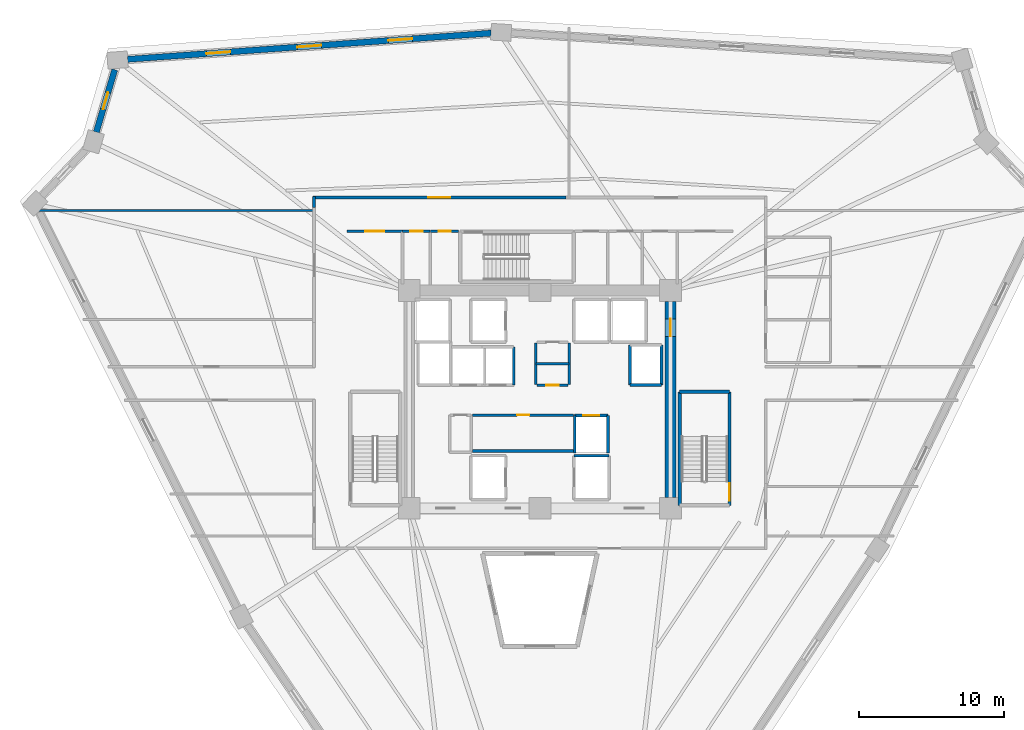
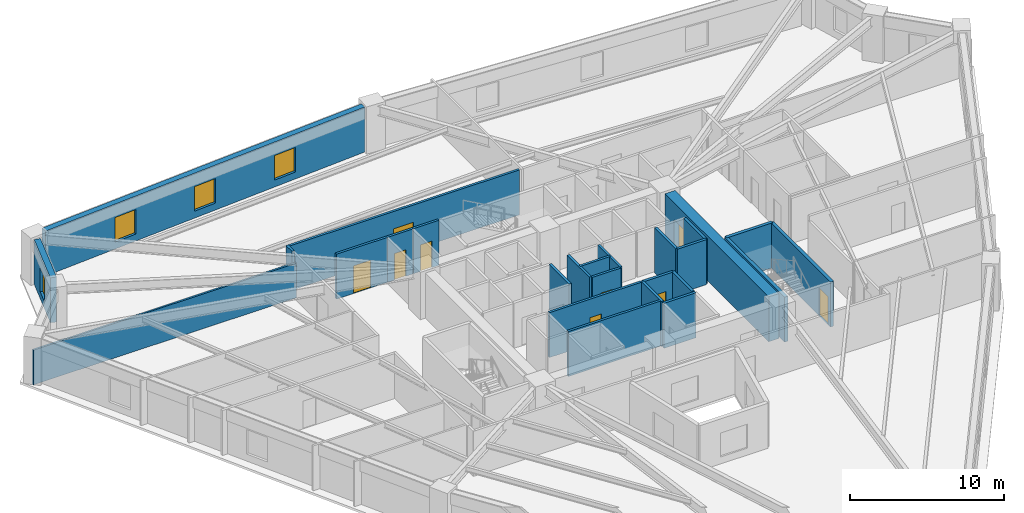
# One storey, part 5 of 8: 26 walls, 9 doors, 4 windows, 13 openings.
"""IFC4 building model written with IfcOpenShell, lengths in metres."""

from ifc_helpers import new_model, si_unit, direction, frame, frame_2d, origin, place, context, subcontext, project, spatial, rectangle, extrude, source, transform, mapped, material, layer, layer_set, type_object, element, fill, save


model = new_model("IFC4")

# Units and contexts
model_context = context("Model", 3, precision=1e-05, world=origin(), true_north=direction((0.0, 1.0)))
body_context = subcontext(model_context, "Body", "Model", "MODEL_VIEW")
ifc_project = project(units=[si_unit("LENGTHUNIT", "METRE"), si_unit("AREAUNIT", "SQUARE_METRE"), si_unit("VOLUMEUNIT", "CUBIC_METRE"), si_unit("PLANEANGLEUNIT", "RADIAN"), si_unit("MASSUNIT", "GRAM", prefix="KILO")], contexts=[model_context])

# Site, building, storey
site_placement = place(None, origin())
site = spatial("IfcSite", under=ifc_project, at=site_placement, CompositionType="ELEMENT")
building_placement = place(site_placement, origin())
building = spatial("IfcBuilding", under=site, at=building_placement, Name="Liaohun Quay Tower", CompositionType="ELEMENT")
storey_placement = place(building_placement, frame((0.0, 0.0, 174.0)))
storey = spatial("IfcBuildingStorey", under=building, at=storey_placement, Name="L45", CompositionType="ELEMENT", Elevation=174.0)

# Wall, opening, door
ifc_material_1 = material(Name="Concrete C60", Category="concrete")
ifc_layer_1 = layer(ifc_material_1, 0.75, Name="Concrete C60", Category="concrete")
ifc_layer_set_1 = layer_set([ifc_layer_1], Name="Concrete C60")
wall_type_1 = type_object("IfcWallType", Name="WAL-COR-Z2", PredefinedType="SHEAR", material=ifc_layer_set_1)
wall_1_placement = place(storey_placement, frame((69.0, 60.75, 0.0), z_axis=(0.0, 0.0, 1.0), x_axis=(0.0, -1.0, 0.0)))
wall_1 = element("IfcWall", 1, at=wall_1_placement, inside=storey, type_object=wall_type_1, Name="L45 Central Core Shear Wall E", PredefinedType="SHEAR", context=body_context, shape_type="SweptSolid", body=[
    extrude(rectangle(XDim=13.5, YDim=0.75, at=frame_2d((6.75, 0.0))), origin(), (0.0, 0.0, 1.0), 3.570068359375),
])
shared_shape_1 = source(origin(), body_context, "Body", "SweptSolid", [
    extrude(rectangle(XDim=1.199951171875, YDim=2.199951171875, at=frame_2d((0.60009765625, 1.10009765625))), frame((0.0, 0.385009765625, 0.0), z_axis=(0.0, -1.0, 0.0), x_axis=(1.0, 0.0, 0.0)), (0.0, 0.0, 1.0), 0.77001953125),
])
opening_1_placement = place(wall_1_placement, frame((1.199951171875, 0.0, 0.0)))
opening_1 = element("IfcOpeningElement", 2, at=opening_1_placement, cuts=wall_1, Name="Opening SD1", PredefinedType="OPENING", context=body_context, shape_type="MappedRepresentation", body=[
    mapped(shared_shape_1, transform((0.0, 0.0, 0.0), x_axis=(1.0, 0.0, 0.0), y_axis=(0.0, 1.0, 0.0), z_axis=(0.0, 0.0, 1.0), scale=1.0)),
])
ifc_material_2 = material(Name="Galvanised steel fire door", Category="steel")
door_type_1 = type_object("IfcDoorType", Name="DOR-STR-1200", OperationType="NOTDEFINED", PredefinedType="DOOR", material=ifc_material_2)
shared_shape_2 = source(origin(), body_context, "Body", "SweptSolid", [
    extrude(rectangle(XDim=1.199951171875, YDim=2.199951171875, at=frame_2d((0.60009765625, 1.10009765625))), frame((0.0, 0.02490234375, 0.0), z_axis=(0.0, -1.0, 0.0), x_axis=(1.0, 0.0, 0.0)), (0.0, 0.0, 1.0), 0.050048828125),
])
door_1_placement = place(opening_1_placement, origin())
door_1 = element("IfcDoor", 3, at=door_1_placement, inside=storey, type_object=door_type_1, Name="L45 North-East Core Lobby Smokeproof Door", OperationType="SINGLE_SWING_LEFT", OverallHeight=2.199951171875, OverallWidth=1.199951171875, PredefinedType="DOOR", context=body_context, shape_type="MappedRepresentation", body=[
    mapped(shared_shape_2, transform((0.0, 0.0, 0.0), x_axis=(1.0, 0.0, 0.0), y_axis=(0.0, 1.0, 0.0), z_axis=(0.0, 0.0, 1.0), scale=1.0)),
])
fill(opening_1, door_1)

# Wall, openings, windows
ifc_material_3 = material(Name="Precast concrete C50 insulated sandwich", Category="concrete")
ifc_layer_2 = layer(ifc_material_3, 0.419921875, Name="Precast concrete C50 insulated sandwich", Category="concrete")
ifc_layer_set_2 = layer_set([ifc_layer_2], Name="Precast concrete C50 insulated sandwich")
wall_type_2 = type_object("IfcWallType", Name="WAL-EXT-Z12", PredefinedType="SOLIDWALL", material=ifc_layer_set_2)
wall_2_placement = place(storey_placement, frame((56.64111328125, 79.23291015625, 0.0), z_axis=(0.0, 0.0, 1.0), x_axis=(-0.997406603589, -0.071972683136, 0.0)))
wall_2 = element("IfcWall", 4, at=wall_2_placement, inside=storey, type_object=wall_type_2, Name="L45 Brutalist Precast Pier Wall 07", PredefinedType="SOLIDWALL", context=body_context, shape_type="SweptSolid", body=[
    extrude(rectangle(XDim=25.105224609375, YDim=0.419921875, at=frame_2d((12.552734375, 0.0))), origin(), (0.0, 0.0, 1.0), 3.570068359375),
])
shared_shape_3 = source(origin(), body_context, "Body", "SweptSolid", [
    extrude(rectangle(XDim=1.64990234375, YDim=1.949951171875, at=frame_2d((0.824951171875, 0.97509765625))), frame((0.0, 0.219970703125, 0.0), z_axis=(0.0, -1.0, 0.0), x_axis=(1.0, 0.0, 0.0)), (0.0, 0.0, 1.0), 0.43994140625),
])
opening_2_placement = place(wall_2_placement, frame((5.450927734375, 0.0, 0.550048828125)))
opening_2 = element("IfcOpeningElement", 5, at=opening_2_placement, cuts=wall_2, Name="Opening W02", PredefinedType="OPENING", context=body_context, shape_type="MappedRepresentation", body=[
    mapped(shared_shape_3, transform((0.0, 0.0, 0.0), x_axis=(1.0, 0.0, 0.0), y_axis=(0.0, 1.0, 0.0), z_axis=(0.0, 0.0, 1.0), scale=1.0)),
])
opening_3_placement = place(wall_2_placement, frame((11.72802734375, 0.0, 0.550048828125)))
opening_3 = element("IfcOpeningElement", 6, at=opening_3_placement, cuts=wall_2, Name="Opening W02", PredefinedType="OPENING", context=body_context, shape_type="MappedRepresentation", body=[
    mapped(shared_shape_3, transform((0.0, 0.0, 0.0), x_axis=(1.0, 0.0, 0.0), y_axis=(0.0, 1.0, 0.0), z_axis=(0.0, 0.0, 1.0), scale=1.0)),
])
opening_4_placement = place(wall_2_placement, frame((18.00390625, 0.0, 0.550048828125)))
opening_4 = element("IfcOpeningElement", 7, at=opening_4_placement, cuts=wall_2, Name="Opening W02", PredefinedType="OPENING", context=body_context, shape_type="MappedRepresentation", body=[
    mapped(shared_shape_3, transform((0.0, 0.0, 0.0), x_axis=(1.0, 0.0, 0.0), y_axis=(0.0, 1.0, 0.0), z_axis=(0.0, 0.0, 1.0), scale=1.0)),
])
ifc_material_4 = material(Name="Triple Low-E argon glazing in thermally broken aluminium", Category="aluminium")
window_type_1 = type_object("IfcWindowType", Name="WIN-PUN-Z2", PartitioningType="DOUBLE_PANEL_VERTICAL", PredefinedType="WINDOW", material=ifc_material_4)
shared_shape_4 = source(origin(), body_context, "Body", "SweptSolid", [
    extrude(rectangle(XDim=1.64990234375, YDim=1.949951171875, at=frame_2d((0.824951171875, 0.97509765625))), frame((0.0, 0.030029296875, 0.0), z_axis=(0.0, -1.0, 0.0), x_axis=(1.0, 0.0, 0.0)), (0.0, 0.0, 1.0), 0.06005859375),
])
window_1_placement = place(opening_2_placement, origin())
window_1 = element("IfcWindow", 8, at=window_1_placement, inside=storey, type_object=window_type_1, Name="L45 Recessed Cold-Climate Punched Window 07-1", OverallHeight=1.949951171875, OverallWidth=1.64990234375, PartitioningType="DOUBLE_PANEL_VERTICAL", PredefinedType="WINDOW", context=body_context, shape_type="MappedRepresentation", body=[
    mapped(shared_shape_4, transform((0.0, 0.0, 0.0), x_axis=(1.0, 0.0, 0.0), y_axis=(0.0, 1.0, 0.0), z_axis=(0.0, 0.0, 1.0), scale=1.0)),
])
fill(opening_2, window_1)
window_2_placement = place(opening_3_placement, origin())
window_2 = element("IfcWindow", 9, at=window_2_placement, inside=storey, type_object=window_type_1, Name="L45 Recessed Cold-Climate Punched Window 07-2", OverallHeight=1.949951171875, OverallWidth=1.64990234375, PartitioningType="DOUBLE_PANEL_VERTICAL", PredefinedType="WINDOW", context=body_context, shape_type="MappedRepresentation", body=[
    mapped(shared_shape_4, transform((0.0, 0.0, 0.0), x_axis=(1.0, 0.0, 0.0), y_axis=(0.0, 1.0, 0.0), z_axis=(0.0, 0.0, 1.0), scale=1.0)),
])
fill(opening_3, window_2)
window_3_placement = place(opening_4_placement, origin())
window_3 = element("IfcWindow", 10, at=window_3_placement, inside=storey, type_object=window_type_1, Name="L45 Recessed Cold-Climate Punched Window 07-3", OverallHeight=1.949951171875, OverallWidth=1.64990234375, PartitioningType="DOUBLE_PANEL_VERTICAL", PredefinedType="WINDOW", context=body_context, shape_type="MappedRepresentation", body=[
    mapped(shared_shape_4, transform((0.0, 0.0, 0.0), x_axis=(1.0, 0.0, 0.0), y_axis=(0.0, 1.0, 0.0), z_axis=(0.0, 0.0, 1.0), scale=1.0)),
])
fill(opening_4, window_3)

# Wall, opening, window
wall_3_placement = place(storey_placement, frame((30.718017578125, 76.714111328125, 0.0), z_axis=(0.0, 0.0, 1.0), x_axis=(-0.282994479967, -0.959121537819, 0.0)))
wall_3 = element("IfcWall", 11, at=wall_3_placement, inside=storey, type_object=wall_type_2, Name="L45 Brutalist Precast Pier Wall 08", PredefinedType="SOLIDWALL", context=body_context, shape_type="SweptSolid", body=[
    extrude(rectangle(XDim=4.484375, YDim=0.419921875, at=frame_2d((2.2421875, 0.0))), origin(), (0.0, 0.0, 1.0), 3.570068359375),
])
shared_shape_5 = source(origin(), body_context, "Body", "SweptSolid", [
    extrude(rectangle(XDim=1.199951171875, YDim=1.89990234375, at=frame_2d((0.60009765625, 0.949951171875))), frame((0.0, 0.219970703125, 0.0), z_axis=(0.0, -1.0, 0.0), x_axis=(1.0, 0.0, 0.0)), (0.0, 0.0, 1.0), 0.43994140625),
])
opening_5_placement = place(wall_3_placement, frame((1.64208984375, 0.0, 0.550048828125)))
opening_5 = element("IfcOpeningElement", 12, at=opening_5_placement, cuts=wall_3, Name="Opening W05", PredefinedType="OPENING", context=body_context, shape_type="MappedRepresentation", body=[
    mapped(shared_shape_5, transform((0.0, 0.0, 0.0), x_axis=(1.0, 0.0, 0.0), y_axis=(0.0, 1.0, 0.0), z_axis=(0.0, 0.0, 1.0), scale=1.0)),
])
ifc_material_5 = material(Name="Triple Low-E corner notch glazing", Category="glass")
window_type_2 = type_object("IfcWindowType", Name="WIN-NOTCH", PartitioningType="SINGLE_PANEL", PredefinedType="WINDOW", material=ifc_material_5)
shared_shape_6 = source(origin(), body_context, "Body", "SweptSolid", [
    extrude(rectangle(XDim=1.199951171875, YDim=1.89990234375, at=frame_2d((0.60009765625, 0.949951171875))), frame((0.0, 0.030029296875, 0.0), z_axis=(0.0, -1.0, 0.0), x_axis=(1.0, 0.0, 0.0)), (0.0, 0.0, 1.0), 0.06005859375),
])
window_4_placement = place(opening_5_placement, origin())
window_4 = element("IfcWindow", 13, at=window_4_placement, inside=storey, type_object=window_type_2, Name="L45 Corner Notch Window W05-08", OverallHeight=1.89990234375, OverallWidth=1.199951171875, PartitioningType="SINGLE_PANEL", PredefinedType="WINDOW", context=body_context, shape_type="MappedRepresentation", body=[
    mapped(shared_shape_6, transform((0.0, 0.0, 0.0), x_axis=(1.0, 0.0, 0.0), y_axis=(0.0, 1.0, 0.0), z_axis=(0.0, 0.0, 1.0), scale=1.0)),
])
fill(opening_5, window_4)

# Wall, opening, door
ifc_material_6 = material(Name="Autoclaved aerated concrete blockwork", Category="masonry")
ifc_layer_3 = layer(ifc_material_6, 0.179931640625, Name="Autoclaved aerated concrete blockwork", Category="masonry")
ifc_layer_set_3 = layer_set([ifc_layer_3], Name="Autoclaved aerated concrete blockwork")
wall_type_3 = type_object("IfcWallType", Name="WAL-PRT-COR", PredefinedType="PARTITIONING", material=ifc_layer_set_3)
wall_4_placement = place(storey_placement, frame((55.3701171875, 52.919921875, 0.0), z_axis=(0.0, 0.0, 1.0), x_axis=(1.0, 0.0, 0.0)))
wall_4 = element("IfcWall", 14, at=wall_4_placement, inside=storey, type_object=wall_type_3, Name="L45 Interior Partition Wall 001", PredefinedType="PARTITIONING", context=body_context, shape_type="SweptSolid", body=[
    extrude(rectangle(XDim=6.929931640625, YDim=0.179931640625, at=frame_2d((3.46484375, 0.0))), origin(), (0.0, 0.0, 1.0), 3.570068359375),
])
shared_shape_7 = source(origin(), body_context, "Body", "SweptSolid", [
    extrude(rectangle(XDim=0.85009765625, YDim=2.10009765625, at=frame_2d((0.425048828125, 1.050048828125))), frame((0.0, 0.099853515625, 0.0), z_axis=(0.0, -1.0, 0.0), x_axis=(1.0, 0.0, 0.0)), (0.0, 0.0, 1.0), 0.199951171875),
])
opening_6_placement = place(wall_4_placement, frame((3.054931640625, 0.0, 0.0)))
opening_6 = element("IfcOpeningElement", 15, at=opening_6_placement, cuts=wall_4, Name="Opening AD1", PredefinedType="OPENING", context=body_context, shape_type="MappedRepresentation", body=[
    mapped(shared_shape_7, transform((0.0, 0.0, 0.0), x_axis=(1.0, 0.0, 0.0), y_axis=(0.0, 1.0, 0.0), z_axis=(0.0, 0.0, 1.0), scale=1.0)),
])
ifc_material_7 = material(Name="Steel riser inspection fire door", Category="steel")
door_type_2 = type_object("IfcDoorType", Name="DOR-SHF-850", OperationType="NOTDEFINED", PredefinedType="DOOR", material=ifc_material_7)
shared_shape_8 = source(origin(), body_context, "Body", "SweptSolid", [
    extrude(rectangle(XDim=0.85009765625, YDim=2.10009765625, at=frame_2d((0.425048828125, 1.050048828125))), frame((0.0, 0.02490234375, 0.0), z_axis=(0.0, -1.0, 0.0), x_axis=(1.0, 0.0, 0.0)), (0.0, 0.0, 1.0), 0.050048828125),
])
door_2_placement = place(opening_6_placement, origin())
door_2 = element("IfcDoor", 16, at=door_2_placement, inside=storey, type_object=door_type_2, Name="L45 Core Tenant Storage and Archive Room Door", OperationType="SINGLE_SWING_RIGHT", OverallHeight=2.10009765625, OverallWidth=0.85009765625, PredefinedType="DOOR", context=body_context, shape_type="MappedRepresentation", body=[
    mapped(shared_shape_8, transform((0.0, 0.0, 0.0), x_axis=(1.0, 0.0, 0.0), y_axis=(0.0, 1.0, 0.0), z_axis=(0.0, 0.0, 1.0), scale=1.0)),
])
fill(opening_6, door_2)

wall_5_placement = place(storey_placement, frame((59.81005859375, 54.97998046875, 0.0), z_axis=(0.0, 0.0, 1.0), x_axis=(1.0, 0.0, 0.0)))
wall_5 = element("IfcWall", 17, at=wall_5_placement, inside=storey, type_object=wall_type_3, Name="L45 Interior Partition Wall 002", PredefinedType="PARTITIONING", context=body_context, shape_type="SweptSolid", body=[
    extrude(rectangle(XDim=2.10986328125, YDim=0.179931640625, at=frame_2d((1.054931640625, 0.0))), origin(), (0.0, 0.0, 1.0), 3.570068359375),
])
opening_7_placement = place(wall_5_placement, frame((0.635009765625, 0.0, 0.0)))
opening_7 = element("IfcOpeningElement", 18, at=opening_7_placement, cuts=wall_5, Name="Opening AD1", PredefinedType="OPENING", context=body_context, shape_type="MappedRepresentation", body=[
    mapped(shared_shape_7, transform((0.0, 0.0, 0.0), x_axis=(1.0, 0.0, 0.0), y_axis=(0.0, 1.0, 0.0), z_axis=(0.0, 0.0, 1.0), scale=1.0)),
])
door_3_placement = place(opening_7_placement, origin())
door_3 = element("IfcDoor", 19, at=door_3_placement, inside=storey, type_object=door_type_2, Name="L45 Electrical Riser Room Door", OperationType="SINGLE_SWING_LEFT", OverallHeight=2.10009765625, OverallWidth=0.85009765625, PredefinedType="DOOR", context=body_context, shape_type="MappedRepresentation", body=[
    mapped(shared_shape_8, transform((0.0, 0.0, 0.0), x_axis=(1.0, 0.0, 0.0), y_axis=(0.0, 1.0, 0.0), z_axis=(0.0, 0.0, 1.0), scale=1.0)),
])
fill(opening_7, door_3)

wall_6_placement = place(storey_placement, frame((50.5400390625, 65.580078125, 0.0), z_axis=(0.0, 0.0, 1.0), x_axis=(1.0, 0.0, 0.0)))
wall_6 = element("IfcWall", 20, at=wall_6_placement, inside=storey, type_object=wall_type_3, Name="L45 Interior Partition Wall 008", PredefinedType="PARTITIONING", context=body_context, shape_type="SweptSolid", body=[
    extrude(rectangle(XDim=1.89990234375, YDim=0.179931640625, at=frame_2d((0.949951171875, 0.0))), origin(), (0.0, 0.0, 1.0), 3.570068359375),
])
opening_8_placement = place(wall_6_placement, frame((0.52490234375, 0.0, 0.0)))
opening_8 = element("IfcOpeningElement", 21, at=opening_8_placement, cuts=wall_6, Name="Opening AD1", PredefinedType="OPENING", context=body_context, shape_type="MappedRepresentation", body=[
    mapped(shared_shape_7, transform((0.0, 0.0, 0.0), x_axis=(1.0, 0.0, 0.0), y_axis=(0.0, 1.0, 0.0), z_axis=(0.0, 0.0, 1.0), scale=1.0)),
])
door_4_placement = place(opening_8_placement, origin())
door_4 = element("IfcDoor", 22, at=door_4_placement, inside=storey, type_object=door_type_2, Name="L45 North-West Riser Closet Door", OperationType="SINGLE_SWING_LEFT", OverallHeight=2.10009765625, OverallWidth=0.85009765625, PredefinedType="DOOR", context=body_context, shape_type="MappedRepresentation", body=[
    mapped(shared_shape_8, transform((0.0, 0.0, 0.0), x_axis=(1.0, 0.0, 0.0), y_axis=(0.0, 1.0, 0.0), z_axis=(0.0, 0.0, 1.0), scale=1.0)),
])
fill(opening_8, door_4)

wall_7_placement = place(storey_placement, frame((52.47998046875, 65.580078125, 0.0), z_axis=(0.0, 0.0, 1.0), x_axis=(1.0, 0.0, 0.0)))
wall_7 = element("IfcWall", 23, at=wall_7_placement, inside=storey, type_object=wall_type_3, Name="L45 Interior Partition Wall 009", PredefinedType="PARTITIONING", context=body_context, shape_type="SweptSolid", body=[
    extrude(rectangle(XDim=1.929931640625, YDim=0.179931640625, at=frame_2d((0.96484375, 0.0))), origin(), (0.0, 0.0, 1.0), 3.570068359375),
])
opening_9_placement = place(wall_7_placement, frame((0.5400390625, 0.0, 0.0)))
opening_9 = element("IfcOpeningElement", 24, at=opening_9_placement, cuts=wall_7, Name="Opening AD1", PredefinedType="OPENING", context=body_context, shape_type="MappedRepresentation", body=[
    mapped(shared_shape_7, transform((0.0, 0.0, 0.0), x_axis=(1.0, 0.0, 0.0), y_axis=(0.0, 1.0, 0.0), z_axis=(0.0, 0.0, 1.0), scale=1.0)),
])
door_5_placement = place(opening_9_placement, origin())
door_5 = element("IfcDoor", 25, at=door_5_placement, inside=storey, type_object=door_type_2, Name="L45 North-West Print Closet Door", OperationType="SINGLE_SWING_RIGHT", OverallHeight=2.10009765625, OverallWidth=0.85009765625, PredefinedType="DOOR", context=body_context, shape_type="MappedRepresentation", body=[
    mapped(shared_shape_8, transform((0.0, 0.0, 0.0), x_axis=(1.0, 0.0, 0.0), y_axis=(0.0, 1.0, 0.0), z_axis=(0.0, 0.0, 1.0), scale=1.0)),
])
fill(opening_9, door_5)

wall_8_placement = place(storey_placement, frame((46.699951171875, 65.580078125, 0.0), z_axis=(0.0, 0.0, 1.0), x_axis=(1.0, 0.0, 0.0)))
wall_8 = element("IfcWall", 26, at=wall_8_placement, inside=storey, type_object=wall_type_3, Name="L45 Interior Partition Wall 013", PredefinedType="PARTITIONING", context=body_context, shape_type="SweptSolid", body=[
    extrude(rectangle(XDim=3.840087890625, YDim=0.179931640625, at=frame_2d((1.919921875, 0.0))), origin(), (0.0, 0.0, 1.0), 3.570068359375),
])
shared_shape_9 = source(origin(), body_context, "Body", "SweptSolid", [
    extrude(rectangle(XDim=1.300048828125, YDim=2.199951171875, at=frame_2d((0.64990234375, 1.10009765625))), frame((0.0, 0.099853515625, 0.0), z_axis=(0.0, -1.0, 0.0), x_axis=(1.0, 0.0, 0.0)), (0.0, 0.0, 1.0), 0.199951171875),
])
opening_10_placement = place(wall_8_placement, frame((1.27001953125, 0.0, 0.0)))
opening_10 = element("IfcOpeningElement", 27, at=opening_10_placement, cuts=wall_8, Name="Opening FD1", PredefinedType="OPENING", context=body_context, shape_type="MappedRepresentation", body=[
    mapped(shared_shape_9, transform((0.0, 0.0, 0.0), x_axis=(1.0, 0.0, 0.0), y_axis=(0.0, 1.0, 0.0), z_axis=(0.0, 0.0, 1.0), scale=1.0)),
])
ifc_material_8 = material(Name="Galvanised steel smokeproof fire door", Category="steel")
door_type_3 = type_object("IfcDoorType", Name="DOR-FFL-1300", OperationType="NOTDEFINED", PredefinedType="DOOR", material=ifc_material_8)
shared_shape_10 = source(origin(), body_context, "Body", "SweptSolid", [
    extrude(rectangle(XDim=1.300048828125, YDim=2.199951171875, at=frame_2d((0.64990234375, 1.10009765625))), frame((0.0, 0.02490234375, 0.0), z_axis=(0.0, -1.0, 0.0), x_axis=(1.0, 0.0, 0.0)), (0.0, 0.0, 1.0), 0.050048828125),
])
door_6_placement = place(opening_10_placement, origin())
door_6 = element("IfcDoor", 28, at=door_6_placement, inside=storey, type_object=door_type_3, Name="L45 West Core Vestibule Door", OperationType="SINGLE_SWING_RIGHT", OverallHeight=2.199951171875, OverallWidth=1.300048828125, PredefinedType="DOOR", context=body_context, shape_type="MappedRepresentation", body=[
    mapped(shared_shape_10, transform((0.0, 0.0, 0.0), x_axis=(1.0, 0.0, 0.0), y_axis=(0.0, 1.0, 0.0), z_axis=(0.0, 0.0, 1.0), scale=1.0)),
])
fill(opening_10, door_6)

wall_9_placement = place(storey_placement, frame((44.3701171875, 67.909912109375, 0.0), z_axis=(0.0, 0.0, 1.0), x_axis=(1.0, 0.0, 0.0)))
wall_9 = element("IfcWall", 29, at=wall_9_placement, inside=storey, type_object=wall_type_3, Name="L45 Interior Partition Wall 017", PredefinedType="PARTITIONING", context=body_context, shape_type="SweptSolid", body=[
    extrude(rectangle(XDim=17.414794921875, YDim=0.179931640625, at=frame_2d((8.70751953125, 0.0))), origin(), (0.0, 0.0, 1.0), 3.570068359375),
])
shared_shape_11 = source(origin(), body_context, "Body", "SweptSolid", [
    extrude(rectangle(XDim=1.5, YDim=2.199951171875, at=frame_2d((0.75, 1.10009765625))), frame((0.0, 0.099853515625, 0.0), z_axis=(0.0, -1.0, 0.0), x_axis=(1.0, 0.0, 0.0)), (0.0, 0.0, 1.0), 0.199951171875),
])
opening_11_placement = place(wall_9_placement, frame((7.95703125, 0.0, 0.0)))
opening_11 = element("IfcOpeningElement", 30, at=opening_11_placement, cuts=wall_9, Name="Opening OD2", PredefinedType="OPENING", context=body_context, shape_type="MappedRepresentation", body=[
    mapped(shared_shape_11, transform((0.0, 0.0, 0.0), x_axis=(1.0, 0.0, 0.0), y_axis=(0.0, 1.0, 0.0), z_axis=(0.0, 0.0, 1.0), scale=1.0)),
])
ifc_material_9 = material(Name="Acoustic oak veneer double door")
door_type_4 = type_object("IfcDoorType", Name="DOR-OFF-1500", OperationType="DOUBLE_DOOR_SINGLE_SWING", PredefinedType="DOOR", material=ifc_material_9)
shared_shape_12 = source(origin(), body_context, "Body", "SweptSolid", [
    extrude(rectangle(XDim=1.5, YDim=2.199951171875, at=frame_2d((0.75, 1.10009765625))), frame((0.0, 0.02490234375, 0.0), z_axis=(0.0, -1.0, 0.0), x_axis=(1.0, 0.0, 0.0)), (0.0, 0.0, 1.0), 0.050048828125),
])
door_7_placement = place(opening_11_placement, origin())
door_7 = element("IfcDoor", 31, at=door_7_placement, inside=storey, type_object=door_type_4, Name="L45 Technical Reference Library 03 Door", OperationType="DOUBLE_DOOR_SINGLE_SWING", OverallHeight=2.199951171875, OverallWidth=1.5, PredefinedType="DOOR", context=body_context, shape_type="MappedRepresentation", body=[
    mapped(shared_shape_12, transform((0.0, 0.0, 0.0), x_axis=(1.0, 0.0, 0.0), y_axis=(0.0, 1.0, 0.0), z_axis=(0.0, 0.0, 1.0), scale=1.0)),
])
fill(opening_11, door_7)

# Walls
for number, where, z_axis, x_axis, name in (
    (32, (59.719970703125, 55.02001953125, 0.0), (0.0, 0.0, 1.0), (0.0, 1.0, 0.0), "L45 Interior Partition Wall 025"),
    (33, (62.010009765625, 55.02001953125, 0.0), (0.0, 0.0, 1.0), (0.0, 1.0, 0.0), "L45 Interior Partition Wall 026"),
):
    element("IfcWall", number, at=place(storey_placement, frame(where, z_axis=z_axis, x_axis=x_axis)), inside=storey, type_object=wall_type_3, Name=name, PredefinedType="PARTITIONING", context=body_context, shape_type="SweptSolid", body=[
        extrude(rectangle(XDim=2.8798828125, YDim=0.179931640625, at=frame_2d((1.43994140625, 0.0))), origin(), (0.0, 0.0, 1.0), 3.570068359375),
    ])
wall_10_placement = place(storey_placement, frame((59.719970703125, 56.4599609375, 0.0), z_axis=(0.0, 0.0, 1.0), x_axis=(1.0, 0.0, 0.0)))
element("IfcWall", 34, at=wall_10_placement, inside=storey, type_object=wall_type_3, Name="L45 Interior Partition Wall 027", PredefinedType="PARTITIONING", context=body_context, shape_type="SweptSolid", body=[
    extrude(rectangle(XDim=2.2900390625, YDim=0.179931640625, at=frame_2d((1.14501953125, 0.0))), origin(), (0.0, 0.0, 1.0), 3.570068359375),
])
wall_11_placement = place(storey_placement, frame((44.43994140625, 67.215087890625, 0.0), z_axis=(0.0, 0.0, 1.0), x_axis=(0.0, 1.0, 0.0)))
element("IfcWall", 35, at=wall_11_placement, inside=storey, type_object=wall_type_3, Name="L45 Interior Partition Wall 043", PredefinedType="PARTITIONING", context=body_context, shape_type="SweptSolid", body=[
    extrude(rectangle(XDim=0.764892578125, YDim=0.179931640625, at=frame_2d((0.38232421875, 0.0))), origin(), (0.0, 0.0, 1.0), 3.570068359375),
])
wall_12_placement = place(storey_placement, frame((55.3701171875, 50.449951171875, 0.0), z_axis=(0.0, 0.0, 1.0), x_axis=(1.0, 0.0, 0.0)))
element("IfcWall", 36, at=wall_12_placement, inside=storey, type_object=wall_type_3, Name="L45 Interior Partition Wall 057", PredefinedType="PARTITIONING", context=body_context, shape_type="SweptSolid", body=[
    extrude(rectangle(XDim=6.929931640625, YDim=0.179931640625, at=frame_2d((3.46484375, 0.0))), origin(), (0.0, 0.0, 1.0), 3.570068359375),
])
ifc_material_10 = material(Name="Gypsum board on twin steel studs", Category="steel")
ifc_layer_4 = layer(ifc_material_10, 0.139892578125, Name="Gypsum board on twin steel studs", Category="steel")
ifc_layer_set_4 = layer_set([ifc_layer_4], Name="Gypsum board on twin steel studs")
wall_type_4 = type_object("IfcWallType", Name="WAL-PRT-OFF", PredefinedType="PARTITIONING", material=ifc_layer_set_4)
wall_13_placement = place(storey_placement, frame((44.5400390625, 67.0, 0.0), z_axis=(0.0, 0.0, 1.0), x_axis=(-1.0, 0.0, 0.0)))
element("IfcWall", 37, at=wall_13_placement, inside=storey, type_object=wall_type_4, Name="L45 Interior Partition Wall 052", PredefinedType="PARTITIONING", context=body_context, shape_type="SweptSolid", body=[
    extrude(rectangle(XDim=19.77197265625, YDim=0.139892578125, at=frame_2d((9.885986328125, 0.0))), origin(), (0.0, 0.0, 1.0), 2.7548828125),
])

# Wall, opening, door
ifc_material_11 = material(Name="Concrete C50", Category="concrete")
ifc_layer_5 = layer(ifc_material_11, 0.239990234375, Name="Concrete C50", Category="concrete")
ifc_layer_set_5 = layer_set([ifc_layer_5], Name="Concrete C50")
wall_type_5 = type_object("IfcWallType", Name="WAL-SHF-200", PredefinedType="SOLIDWALL", material=ifc_layer_set_5)
wall_14_placement = place(storey_placement, frame((73.06005859375, 46.699951171875, 0.0), z_axis=(0.0, 0.0, 1.0), x_axis=(0.0, 1.0, 0.0)))
wall_14 = element("IfcWall", 38, at=wall_14_placement, inside=storey, type_object=wall_type_5, Name="L45 Stairwell ST-2 Structural Core Wall E", PredefinedType="SOLIDWALL", context=body_context, shape_type="SweptSolid", body=[
    extrude(rectangle(XDim=7.820068359375, YDim=0.239990234375, at=frame_2d((3.91015625, 0.0))), origin(), (0.0, 0.0, 1.0), 3.570068359375),
])
shared_shape_13 = source(origin(), body_context, "Body", "SweptSolid", [
    extrude(rectangle(XDim=1.199951171875, YDim=2.199951171875, at=frame_2d((0.60009765625, 1.10009765625))), frame((0.0, 0.1298828125, 0.0), z_axis=(0.0, -1.0, 0.0), x_axis=(1.0, 0.0, 0.0)), (0.0, 0.0, 1.0), 0.260009765625),
])
opening_12_placement = place(wall_14_placement, frame((0.320068359375, 0.0, 0.0)))
opening_12 = element("IfcOpeningElement", 39, at=opening_12_placement, cuts=wall_14, Name="Opening SD1", PredefinedType="OPENING", context=body_context, shape_type="MappedRepresentation", body=[
    mapped(shared_shape_13, transform((0.0, 0.0, 0.0), x_axis=(1.0, 0.0, 0.0), y_axis=(0.0, 1.0, 0.0), z_axis=(0.0, 0.0, 1.0), scale=1.0)),
])
door_8_placement = place(opening_12_placement, origin())
door_8 = element("IfcDoor", 40, at=door_8_placement, inside=storey, type_object=door_type_1, Name="L45 Protected Stair ST-2 Fire Door", OperationType="SINGLE_SWING_RIGHT", OverallHeight=2.199951171875, OverallWidth=1.199951171875, PredefinedType="DOOR", context=body_context, shape_type="MappedRepresentation", body=[
    mapped(shared_shape_2, transform((0.0, 0.0, 0.0), x_axis=(1.0, 0.0, 0.0), y_axis=(0.0, 1.0, 0.0), z_axis=(0.0, 0.0, 1.0), scale=1.0)),
])
fill(opening_12, door_8)

# Walls
wall_15_placement = place(storey_placement, frame((73.06005859375, 54.52001953125, 0.0), z_axis=(0.0, 0.0, 1.0), x_axis=(-1.0, 0.0, 0.0)))
element("IfcWall", 41, at=wall_15_placement, inside=storey, type_object=wall_type_5, Name="L45 Stairwell ST-2 Structural Core Wall N", PredefinedType="SOLIDWALL", context=body_context, shape_type="SweptSolid", body=[
    extrude(rectangle(XDim=3.43994140625, YDim=0.239990234375, at=frame_2d((1.719970703125, 0.0))), origin(), (0.0, 0.0, 1.0), 3.570068359375),
])
wall_16_placement = place(storey_placement, frame((69.6201171875, 54.52001953125, 0.0), z_axis=(0.0, 0.0, 1.0), x_axis=(0.0, -1.0, 0.0)))
element("IfcWall", 42, at=wall_16_placement, inside=storey, type_object=wall_type_5, Name="L45 Stairwell ST-2 Structural Core Wall W", PredefinedType="SOLIDWALL", context=body_context, shape_type="SweptSolid", body=[
    extrude(rectangle(XDim=7.820068359375, YDim=0.239990234375, at=frame_2d((3.91015625, 0.0))), origin(), (0.0, 0.0, 1.0), 3.570068359375),
])
wall_17_placement = place(storey_placement, frame((64.75, 50.1201171875, 0.0), z_axis=(0.0, 0.0, 1.0), x_axis=(-1.0, 0.0, 0.0)))
element("IfcWall", 43, at=wall_17_placement, inside=storey, type_object=wall_type_5, Name="L45 Lift FF-02 Hoistway Wall N", PredefinedType="SOLIDWALL", context=body_context, shape_type="SweptSolid", body=[
    extrude(rectangle(XDim=2.39990234375, YDim=0.199951171875, at=frame_2d((1.199951171875, 0.0))), origin(), (0.0, 0.0, 1.0), 3.570068359375),
])
wall_18_placement = place(storey_placement, frame((66.199951171875, 55.0, 0.0), z_axis=(0.0, 0.0, 1.0), x_axis=(1.0, 0.0, 0.0)))
element("IfcWall", 44, at=wall_18_placement, inside=storey, type_object=wall_type_5, Name="L45 Lift SH-03 Hoistway Wall S", PredefinedType="SOLIDWALL", context=body_context, shape_type="SweptSolid", body=[
    extrude(rectangle(XDim=2.179931640625, YDim=0.199951171875, at=frame_2d((1.08984375, 0.0))), origin(), (0.0, 0.0, 1.0), 3.570068359375),
])
for number, where, z_axis, x_axis, name in (
    (45, (68.3798828125, 55.0, 0.0), (0.0, 0.0, 1.0), (0.0, 1.0, 0.0), "L45 Lift SH-03 Hoistway Wall E"),
    (46, (66.199951171875, 57.75, 0.0), (0.0, 0.0, 1.0), (0.0, -1.0, 0.0), "L45 Lift SH-03 Hoistway Wall W"),
):
    element("IfcWall", number, at=place(storey_placement, frame(where, z_axis=z_axis, x_axis=x_axis)), inside=storey, type_object=wall_type_5, Name=name, PredefinedType="SOLIDWALL", context=body_context, shape_type="SweptSolid", body=[
        extrude(rectangle(XDim=2.75, YDim=0.199951171875, at=frame_2d((1.375, 0.0))), origin(), (0.0, 0.0, 1.0), 3.570068359375),
    ])
wall_19_placement = place(storey_placement, frame((64.699951171875, 50.300048828125, 0.0), z_axis=(0.0, 0.0, 1.0), x_axis=(0.0, 1.0, 0.0)))
element("IfcWall", 47, at=wall_19_placement, inside=storey, type_object=wall_type_5, Name="L45 Lift PL-2A Hoistway Wall E", PredefinedType="SOLIDWALL", context=body_context, shape_type="SweptSolid", body=[
    extrude(rectangle(XDim=2.599853515625, YDim=0.199951171875, at=frame_2d((1.2998046875, 0.0))), origin(), (0.0, 0.0, 1.0), 3.570068359375),
])

# Wall, opening, door
wall_20_placement = place(storey_placement, frame((64.699951171875, 52.89990234375, 0.0), z_axis=(0.0, 0.0, 1.0), x_axis=(-1.0, 0.0, 0.0)))
wall_20 = element("IfcWall", 48, at=wall_20_placement, inside=storey, type_object=wall_type_5, Name="L45 Lift PL-2A Hoistway Wall N", PredefinedType="SOLIDWALL", context=body_context, shape_type="SweptSolid", body=[
    extrude(rectangle(XDim=2.300048828125, YDim=0.199951171875, at=frame_2d((1.14990234375, 0.0))), origin(), (0.0, 0.0, 1.0), 3.570068359375),
])
shared_shape_14 = source(origin(), body_context, "Body", "SweptSolid", [
    extrude(rectangle(XDim=1.10009765625, YDim=2.199951171875, at=frame_2d((0.550048828125, 1.10009765625))), frame((0.0, 0.10986328125, 0.0), z_axis=(0.0, -1.0, 0.0), x_axis=(1.0, 0.0, 0.0)), (0.0, 0.0, 1.0), 0.219970703125),
])
opening_13_placement = place(wall_20_placement, frame((0.60009765625, 0.0, 0.0)))
opening_13 = element("IfcOpeningElement", 49, at=opening_13_placement, cuts=wall_20, Name="Opening LD1", PredefinedType="OPENING", context=body_context, shape_type="MappedRepresentation", body=[
    mapped(shared_shape_14, transform((0.0, 0.0, 0.0), x_axis=(1.0, 0.0, 0.0), y_axis=(0.0, 1.0, 0.0), z_axis=(0.0, 0.0, 1.0), scale=1.0)),
])
ifc_material_12 = material(Name="Brushed stainless steel landing door", Category="steel")
door_type_5 = type_object("IfcDoorType", Name="DOR-LFT-1100", OperationType="SLIDING_TO_LEFT", PredefinedType="DOOR", material=ifc_material_12)
shared_shape_15 = source(origin(), body_context, "Body", "SweptSolid", [
    extrude(rectangle(XDim=1.10009765625, YDim=2.199951171875, at=frame_2d((0.550048828125, 1.10009765625))), frame((0.0, 0.02490234375, 0.0), z_axis=(0.0, -1.0, 0.0), x_axis=(1.0, 0.0, 0.0)), (0.0, 0.0, 1.0), 0.050048828125),
])
door_9_placement = place(opening_13_placement, origin())
door_9 = element("IfcDoor", 50, at=door_9_placement, inside=storey, type_object=door_type_5, Name="L45 Lift PL-2A Sliding Landing Door", OperationType="SLIDING_TO_LEFT", OverallHeight=2.199951171875, OverallWidth=1.10009765625, PredefinedType="DOOR", context=body_context, shape_type="MappedRepresentation", body=[
    mapped(shared_shape_15, transform((0.0, 0.0, 0.0), x_axis=(1.0, 0.0, 0.0), y_axis=(0.0, 1.0, 0.0), z_axis=(0.0, 0.0, 1.0), scale=1.0)),
])
fill(opening_13, door_9)

# Walls
wall_21_placement = place(storey_placement, frame((62.39990234375, 52.89990234375, 0.0), z_axis=(0.0, 0.0, 1.0), x_axis=(0.0, -1.0, 0.0)))
element("IfcWall", 51, at=wall_21_placement, inside=storey, type_object=wall_type_5, Name="L45 Lift PL-2A Hoistway Wall W", PredefinedType="SOLIDWALL", context=body_context, shape_type="SweptSolid", body=[
    extrude(rectangle(XDim=2.599853515625, YDim=0.199951171875, at=frame_2d((1.2998046875, 0.0))), origin(), (0.0, 0.0, 1.0), 3.570068359375),
])
wall_22_placement = place(storey_placement, frame((58.199951171875, 55.0, 0.0), z_axis=(0.0, 0.0, 1.0), x_axis=(0.0, 1.0, 0.0)))
element("IfcWall", 52, at=wall_22_placement, inside=storey, type_object=wall_type_5, Name="L45 Lift PL-2C Hoistway Wall E", PredefinedType="SOLIDWALL", context=body_context, shape_type="SweptSolid", body=[
    extrude(rectangle(XDim=2.60009765625, YDim=0.199951171875, at=frame_2d((1.300048828125, 0.0))), origin(), (0.0, 0.0, 1.0), 3.570068359375),
])

save(model, "model.ifc")
